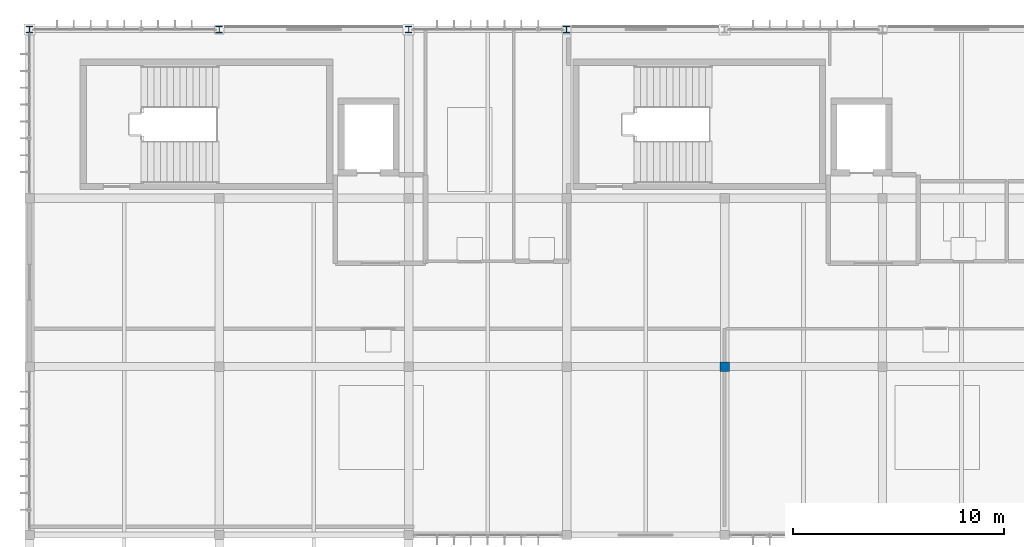
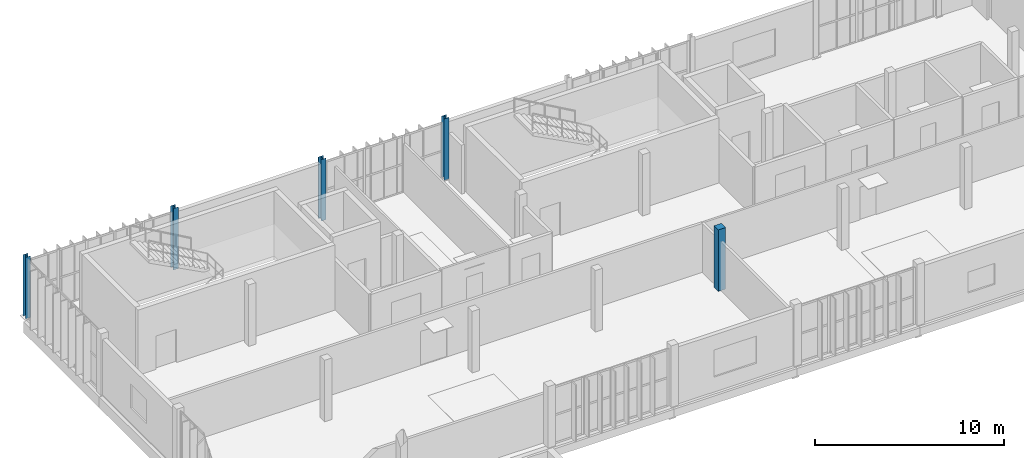
# One storey, part 2 of 26: 5 columns.
"""IFC4 building model written with IfcOpenShell, lengths in metres."""

import ifcopenshell
import ifcopenshell.guid

model = None  # the IFC model being written
_history = None  # IfcOwnerHistory: only IFC2X3 demands one
_inside = {}  # id of a spatial element -> (the spatial element, [elements in it])
_under = {}  # id of a project, library or spatial element -> (it, [spatial elements below it])
_declared = {}  # id of a project -> (the project, [libraries it declares])
_typed = {}  # id of a type object -> (the type object, [elements of that type])
_made_of = {}  # id of a material, layer set ... -> (it, [elements and type objects made of it])


def new_model(schema):
    """Start an empty IFC model of exactly this schema.

    Asked for "IFC4X3", IfcOpenShell would pick the latest addendum, in which some entities
    have other attributes; the version numbers below select the first issue.
    IFC2X3 requires an IfcOwnerHistory on every rooted entity: one is made here for all.
    """
    global model, _history
    if schema == "IFC4X3":
        model = ifcopenshell.file(schema_version=(4, 3, 0, 0))
    else:
        model = ifcopenshell.file(schema=schema)
    _inside.clear()
    _under.clear()
    _declared.clear()
    _typed.clear()
    _made_of.clear()
    _history = None
    if model.schema == "IFC2X3":
        org = make("IfcOrganization", Name="unknown")
        user = make(
            "IfcPersonAndOrganization",
            ThePerson=make("IfcPerson", FamilyName="unknown"),
            TheOrganization=org,
        )
        app = make(
            "IfcApplication",
            ApplicationDeveloper=org,
            Version="unknown",
            ApplicationFullName="unknown",
            ApplicationIdentifier="unknown",
        )
        _history = make(
            "IfcOwnerHistory",
            OwningUser=user,
            OwningApplication=app,
            ChangeAction="ADDED",
            CreationDate=0,
        )
    return model


def make(cls, **values):
    """One entity of the class cls with the attributes given. An attribute that is None is left unset."""
    return model.create_entity(
        cls, **{name: value for name, value in values.items() if value is not None}
    )


def rooted(cls, **values):
    """An entity with a GlobalId (a new one), such as an element, a storey or a relation."""
    return make(cls, GlobalId=ifcopenshell.guid.new(), OwnerHistory=_history, **values)


def si_unit(unit_type, name, prefix=None):
    """IfcSIUnit, for example si_unit("LENGTHUNIT", "METRE", prefix="MILLI")."""
    return make("IfcSIUnit", UnitType=unit_type, Prefix=prefix, Name=name)


def assignment(units):
    """IfcUnitAssignment: the units of a project."""
    return None if units is None else make("IfcUnitAssignment", Units=units)


def point(xyz):
    """IfcCartesianPoint."""
    return None if xyz is None else make("IfcCartesianPoint", Coordinates=xyz)


def direction(xyz):
    """IfcDirection."""
    return None if xyz is None else make("IfcDirection", DirectionRatios=xyz)


def frame(location, z_axis=None, x_axis=None):
    """IfcAxis2Placement3D, a coordinate frame: its origin and axes. An axis left out is left unset."""
    return make(
        "IfcAxis2Placement3D",
        Location=point(location),
        Axis=direction(z_axis),
        RefDirection=direction(x_axis),
    )


def frame_2d(location, x_axis=None):
    """IfcAxis2Placement2D, a coordinate frame in the plane: its origin and x axis."""
    return make(
        "IfcAxis2Placement2D", Location=point(location), RefDirection=direction(x_axis)
    )


def origin():
    """The frame at (0, 0, 0) with its axes left unset."""
    return frame((0.0, 0.0, 0.0))


def origin_2d():
    """The frame at (0, 0) in the plane with its x axis left unset."""
    return frame_2d((0.0, 0.0))


def place(relative_to, where):
    """IfcLocalPlacement: puts the frame where relative to a parent placement (None: the world)."""
    return make(
        "IfcLocalPlacement", PlacementRelTo=relative_to, RelativePlacement=where
    )


def context(
    kind, dimensions, precision=None, world=None, true_north=None, identifier=None
):
    """IfcGeometricRepresentationContext, for example the 3D "Model" context."""
    return make(
        "IfcGeometricRepresentationContext",
        ContextIdentifier=identifier,
        ContextType=kind,
        CoordinateSpaceDimension=dimensions,
        Precision=precision,
        WorldCoordinateSystem=world,
        TrueNorth=true_north,
    )


def subcontext(parent, identifier, kind, view, scale=None):
    """IfcGeometricRepresentationSubContext, for example "Body" below "Model"."""
    return make(
        "IfcGeometricRepresentationSubContext",
        ContextIdentifier=identifier,
        ContextType=kind,
        ParentContext=parent,
        TargetScale=scale,
        TargetView=view,
    )


def project(units=None, contexts=None):
    """IfcProject with its units and contexts."""
    return rooted(
        "IfcProject",
        Name="project",
        RepresentationContexts=contexts,
        UnitsInContext=assignment(units),
    )


def spatial(cls, under=None, at=None, **own):
    """A site, building, storey or space (cls), placed at a placement, below another one or the project."""
    s = rooted(cls, ObjectPlacement=at, **own)
    if under is not None:
        _under.setdefault(under.id(), (under, []))[1].append(s)
    return s


def profile(cls, at=None, kind="AREA", **sizes):
    """A parametric profile (cls). Its sizes go by their IFC names, for example OverallWidth=200.0."""
    return make(cls, ProfileType=kind, Position=at, **sizes)


def rectangle(**sizes):
    """IfcRectangleProfileDef."""
    return profile("IfcRectangleProfileDef", **sizes)


def i_section(**sizes):
    """IfcIShapeProfileDef."""
    return profile("IfcIShapeProfileDef", **sizes)


def extrude(swept, where, along, depth):
    """IfcExtrudedAreaSolid: the profile swept, set in the frame where, extruded along a direction by depth."""
    return make(
        "IfcExtrudedAreaSolid",
        SweptArea=swept,
        Position=where,
        ExtrudedDirection=direction(along),
        Depth=depth,
    )


def shape(context_of_items, identifier, shape_type, items):
    """IfcShapeRepresentation: the items that make up one representation, for example the "Body"."""
    return make(
        "IfcShapeRepresentation",
        ContextOfItems=context_of_items,
        RepresentationIdentifier=identifier,
        RepresentationType=shape_type,
        Items=items,
    )


def material(Name=None, Category=None):
    """IfcMaterial."""
    return make("IfcMaterial", Name=Name, Category=Category)


def material_profile(
    of_material, cross_section, Name=None, Category=None, Priority=None
):
    """IfcMaterialProfile: a cross section and its material."""
    return make(
        "IfcMaterialProfile",
        Name=Name,
        Material=of_material,
        Profile=cross_section,
        Priority=Priority,
        Category=Category,
    )


def profile_set(profiles, Name=None, composite=None):
    """IfcMaterialProfileSet."""
    return make(
        "IfcMaterialProfileSet",
        Name=Name,
        MaterialProfiles=profiles,
        CompositeProfile=composite,
    )


def made_of(thing, what):
    """Note that an element or type object is made of a material, layer set ...; save() writes the relation."""
    if what is not None:
        _made_of.setdefault(what.id(), (what, []))[1].append(thing)
    return thing


def type_object(cls, material=None, **own):
    """A type object (cls), such as IfcWallType, which elements share."""
    return made_of(rooted(cls, **own), material)


def element(
    cls,
    number,
    at=None,
    inside=None,
    cuts=None,
    type_object=None,
    material=None,
    context=None,
    identifier="Body",
    shape_type=None,
    held_by="IfcProductDefinitionShape",
    body=None,
    shapes=None,
    **own,
):
    """One element of the class cls, such as IfcWall. Its Tag is "e" and its number.

    at: its placement. inside: the storey or other place that contains it. cuts: it is an
    opening in that element (IfcRelVoidsElement). A single representation is given by context,
    identifier, shape_type and body (its items); several are given by shapes. held_by: the class
    of the entity that holds the representations. save() writes the other relations.
    """
    e = rooted(cls, Tag="e%d" % number, ObjectPlacement=at, **own)
    if body is not None:
        shapes = [shape(context, identifier, shape_type, body)]
    if shapes is not None:
        e.Representation = make(held_by, Representations=shapes)
    if inside is not None:
        _inside.setdefault(inside.id(), (inside, []))[1].append(e)
    if cuts is not None:
        rooted(
            "IfcRelVoidsElement", RelatingBuildingElement=cuts, RelatedOpeningElement=e
        )
    if type_object is not None:
        _typed.setdefault(type_object.id(), (type_object, []))[1].append(e)
    return made_of(e, material)


def aggregate(whole, parts):
    """IfcRelAggregates: a whole, such as a stair, and the parts it consists of."""
    return rooted("IfcRelAggregates", RelatingObject=whole, RelatedObjects=parts)


def save(model, path):
    """Write the relations noted so far, then the file.

    IfcRelAggregates (storeys below a building ...), IfcRelContainedInSpatialStructure (elements
    in a storey), IfcRelDefinesByType, IfcRelAssociatesMaterial and IfcRelDeclares: one each for
    every whole, place, type object, material and project.
    """
    for whole, parts in _under.values():
        aggregate(whole, parts)
    for where, things in _inside.values():
        rooted(
            "IfcRelContainedInSpatialStructure",
            RelatedElements=things,
            RelatingStructure=where,
        )
    for kind, things in _typed.values():
        rooted("IfcRelDefinesByType", RelatedObjects=things, RelatingType=kind)
    for what, things in _made_of.values():
        rooted("IfcRelAssociatesMaterial", RelatedObjects=things, RelatingMaterial=what)
    for by, libraries in _declared.values():
        rooted("IfcRelDeclares", RelatingContext=by, RelatedDefinitions=libraries)
    model.write(path)


model = new_model("IFC4")

# Units and contexts
model_context = context("Model", 3, precision=1e-05, world=origin(), true_north=direction((0.0, 1.0)))
body_context = subcontext(model_context, "Body", "Model", "MODEL_VIEW")
ifc_project = project(units=[si_unit("LENGTHUNIT", "METRE"), si_unit("AREAUNIT", "SQUARE_METRE"), si_unit("VOLUMEUNIT", "CUBIC_METRE"), si_unit("PLANEANGLEUNIT", "RADIAN"), si_unit("MASSUNIT", "GRAM", prefix="KILO")], contexts=[model_context])

# Site, building, storey
site_placement = place(None, origin())
site = spatial("IfcSite", under=ifc_project, at=site_placement, CompositionType="ELEMENT")
building_placement = place(site_placement, origin())
building = spatial("IfcBuilding", under=site, at=building_placement, Name="Vourika Railside Aquatics Centre", CompositionType="ELEMENT")
storey_placement = place(building_placement, frame((0.0, 0.0, 17.699951171875)))
storey = spatial("IfcBuildingStorey", under=building, at=storey_placement, Name="L04", CompositionType="ELEMENT", Elevation=17.699951171875)

# Columns
ifc_material_1 = material(Name="Concrete C35/45", Category="concrete")
ifc_material_profile_1 = material_profile(ifc_material_1, rectangle(XDim=0.449951171875, YDim=0.449951171875, at=origin_2d()), Name="RC 450x450")
ifc_profile_set_1 = profile_set([ifc_material_profile_1], Name="Concrete C35/45")
column_type_1 = type_object("IfcColumnType", Name="COL-RC450", PredefinedType="COLUMN", material=ifc_profile_set_1)
column_placement = place(storey_placement, frame((51.0, 100.0, 0.0), z_axis=(0.0, 0.0, 1.0), x_axis=(1.0, 0.0, 0.0)))
element("IfcColumn", 1, at=column_placement, inside=storey, type_object=column_type_1, Name="Column col:L04:510_1000", PredefinedType="COLUMN", context=body_context, shape_type="SweptSolid", body=[
    extrude(rectangle(XDim=0.449951171875, YDim=0.449951171875, at=origin_2d()), origin(), (0.0, 0.0, 1.0), 3.9599609375),
])
ifc_material_2 = material(Name="Steel S355J2", Category="steel")
ifc_material_profile_2 = material_profile(ifc_material_2, i_section(OverallWidth=0.300048828125, OverallDepth=0.300048828125, WebThickness=0.010986328125, FlangeThickness=0.01904296875, at=origin_2d()), Name="HEB 300")
ifc_profile_set_2 = profile_set([ifc_material_profile_2], Name="Steel S355J2")
column_type_2 = type_object("IfcColumnType", Name="COL-STL-HEB300", PredefinedType="COLUMN", material=ifc_profile_set_2)
for number, where, z_axis, x_axis, name in (
    (2, (18.0, 116.0, 0.0), (0.0, 0.0, 1.0), (1.0, 0.0, 0.0), "Column col:L04:180_1160"),
    (3, (27.0, 116.0, 0.0), (0.0, 0.0, 1.0), (1.0, 0.0, 0.0), "Column col:L04:270_1160"),
    (4, (36.0, 116.0, 0.0), (0.0, 0.0, 1.0), (1.0, 0.0, 0.0), "Column col:L04:360_1160"),
    (5, (43.5, 116.0, 0.0), (0.0, 0.0, 1.0), (1.0, 0.0, 0.0), "Column col:L04:435_1160"),
):
    element("IfcColumn", number, at=place(storey_placement, frame(where, z_axis=z_axis, x_axis=x_axis)), inside=storey, type_object=column_type_2, Name=name, PredefinedType="COLUMN", context=body_context, shape_type="SweptSolid", body=[
        extrude(i_section(OverallWidth=0.300048828125, OverallDepth=0.300048828125, WebThickness=0.010986328125, FlangeThickness=0.01904296875, at=origin_2d()), origin(), (0.0, 0.0, 1.0), 3.9599609375),
    ])

save(model, "model.ifc")
